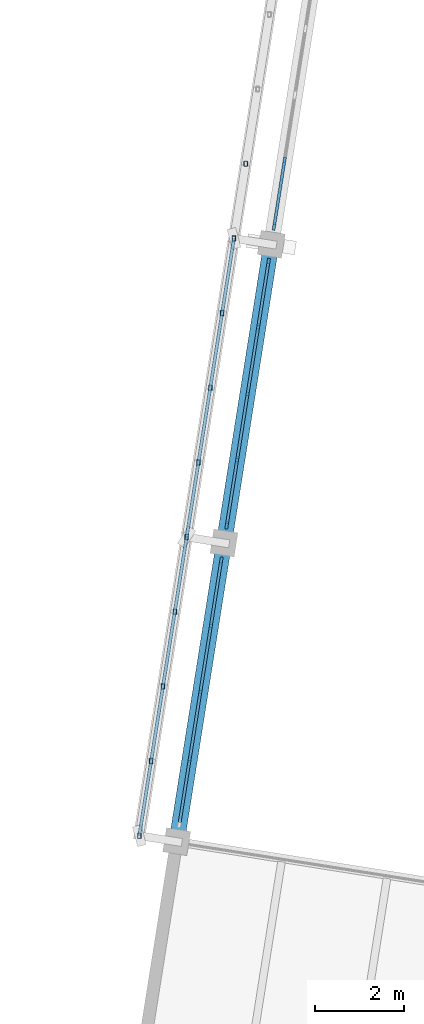
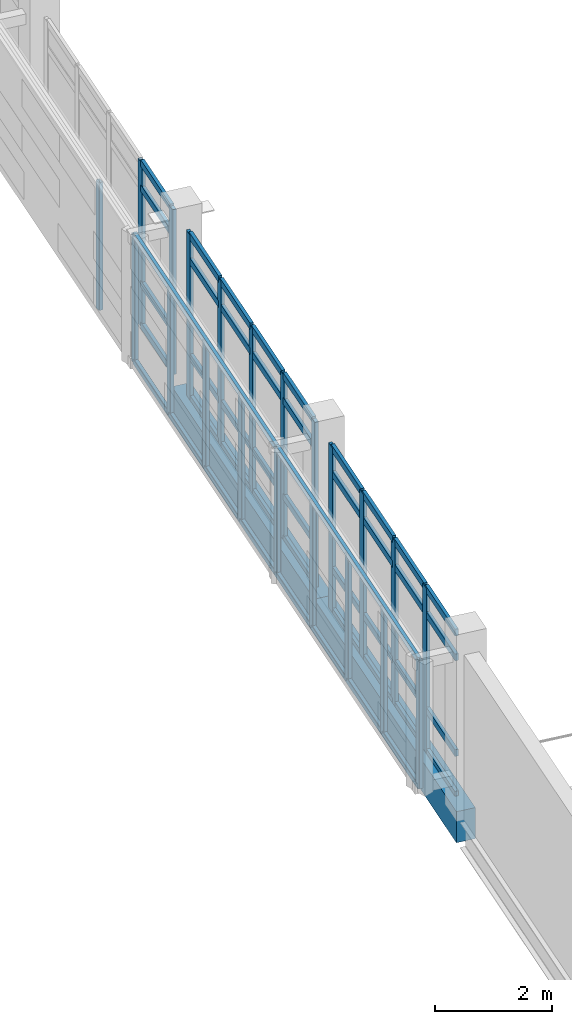
# One storey, part 35 of 117: 61 members, 2 beams, 3 elements without a shape of their own.
"""IFC4 building model written with IfcOpenShell, lengths in metres."""

from ifc_helpers import new_model, si_unit, direction, frame, origin, origin_2d, place, context, subcontext, project, spatial, rectangle, hollow_rectangle, extrude, material, material_profile, profile_set, type_object, element, aggregate, save


model = new_model("IFC4")

# Units and contexts
model_context = context("Model", 3, precision=1e-05, world=origin(), true_north=direction((0.0, 1.0)))
body_context = subcontext(model_context, "Body", "Model", "MODEL_VIEW")
ifc_project = project(units=[si_unit("LENGTHUNIT", "METRE"), si_unit("AREAUNIT", "SQUARE_METRE"), si_unit("VOLUMEUNIT", "CUBIC_METRE"), si_unit("PLANEANGLEUNIT", "RADIAN"), si_unit("MASSUNIT", "GRAM", prefix="KILO")], contexts=[model_context])

# Site, building, storey
site_placement = place(None, origin())
site = spatial("IfcSite", under=ifc_project, at=site_placement, CompositionType="ELEMENT")
building_placement = place(site_placement, origin())
building = spatial("IfcBuilding", under=site, at=building_placement, Name="Cinderway Yard Community Centre", CompositionType="ELEMENT")
storey_placement = place(building_placement, frame((0.0, 0.0, 9.0)))
storey = spatial("IfcBuildingStorey", under=building, at=storey_placement, Name="L02", CompositionType="ELEMENT", Elevation=9.0)

# Curtain wall, members
ifc_material_1 = material(Name="Aluminium 6063-T6", Category="aluminium")
curtain_wall_type = type_object("IfcCurtainWallType", Name="ENV-CW-TYPE-17", PredefinedType="USERDEFINED", material=ifc_material_1)
curtain_wall_1_placement = place(storey_placement, origin())
curtain_wall_1 = element("IfcCurtainWall", 1, at=curtain_wall_1_placement, inside=storey, type_object=curtain_wall_type, Name="Sports Hall Courtyard Curtain Wall ENV-CW-L02-HS-0060", ObjectType="GLAZED CURTAIN WALL", PredefinedType="USERDEFINED")
ifc_material_profile_1 = material_profile(ifc_material_1, rectangle(XDim=0.06494140625, YDim=0.179931640625, at=origin_2d()), Name="Aluminium 6063-T6")
ifc_profile_set_1 = profile_set([ifc_material_profile_1], Name="Aluminium 6063-T6")
member_type_1 = type_object("IfcMemberType", Name="ENV-CW-MULL-180", PredefinedType="MULLION", material=ifc_profile_set_1)
member_1_placement = place(storey_placement, frame((118.29541015625, 39.866455078125, 0.0), z_axis=(0.0, 0.0, 1.0), x_axis=(-0.987660740525, 0.156608625643, 0.0)))
member_1 = element("IfcMember", 2, at=member_1_placement, type_object=member_type_1, Name="CW-17 mullion 2", PredefinedType="MULLION", context=body_context, shape_type="SweptSolid", body=[
    extrude(rectangle(XDim=0.06494140625, YDim=0.179931640625, at=origin_2d()), origin(), (0.0, 0.0, 1.0), 3.449951171875),
])
member_2_placement = place(storey_placement, frame((118.531982421875, 41.35791015625, 0.0), z_axis=(0.0, 0.0, 1.0), x_axis=(-0.987660740525, 0.156608625643, 0.0)))
member_2 = element("IfcMember", 3, at=member_2_placement, type_object=member_type_1, Name="CW-17 mullion 3", PredefinedType="MULLION", context=body_context, shape_type="SweptSolid", body=[
    extrude(rectangle(XDim=0.06494140625, YDim=0.179931640625, at=origin_2d()), origin(), (0.0, 0.0, 1.0), 3.449951171875),
])
member_3_placement = place(storey_placement, frame((118.7685546875, 42.849609375, 0.0), z_axis=(0.0, 0.0, 1.0), x_axis=(-0.987660740525, 0.156608625643, 0.0)))
member_3 = element("IfcMember", 4, at=member_3_placement, type_object=member_type_1, Name="CW-17 mullion 4", PredefinedType="MULLION", context=body_context, shape_type="SweptSolid", body=[
    extrude(rectangle(XDim=0.06494140625, YDim=0.179931640625, at=origin_2d()), origin(), (0.0, 0.0, 1.0), 3.449951171875),
])
member_4_placement = place(storey_placement, frame((119.000244140625, 44.311279296875, 0.0), z_axis=(0.0, 0.0, 1.0), x_axis=(-0.987660740525, 0.156608625643, 0.0)))
member_4 = element("IfcMember", 5, at=member_4_placement, type_object=member_type_1, Name="CW-17 mullion 5", PredefinedType="MULLION", context=body_context, shape_type="SweptSolid", body=[
    extrude(rectangle(XDim=0.06494140625, YDim=0.179931640625, at=origin_2d()), origin(), (0.0, 0.0, 1.0), 3.449951171875),
])

curtain_wall_2_placement = place(storey_placement, origin())
curtain_wall_2 = element("IfcCurtainWall", 6, at=curtain_wall_2_placement, inside=storey, type_object=curtain_wall_type, Name="Sports Hall Courtyard Curtain Wall ENV-CW-L02-HS-0061", ObjectType="GLAZED CURTAIN WALL", PredefinedType="USERDEFINED")
member_5_placement = place(storey_placement, frame((119.127685546875, 45.12060546875, 0.0), z_axis=(0.0, 0.0, 1.0), x_axis=(-0.987664799809, 0.156583023401, 0.0)))
member_5 = element("IfcMember", 7, at=member_5_placement, type_object=member_type_1, Name="CW-17 mullion 1", PredefinedType="MULLION", context=body_context, shape_type="SweptSolid", body=[
    extrude(rectangle(XDim=0.06494140625, YDim=0.179931640625, at=origin_2d()), origin(), (0.0, 0.0, 1.0), 3.449951171875),
])
member_6_placement = place(storey_placement, frame((119.359619140625, 46.582763671875, 0.0), z_axis=(0.0, 0.0, 1.0), x_axis=(-0.987664799809, 0.156583023401, 0.0)))
member_6 = element("IfcMember", 8, at=member_6_placement, type_object=member_type_1, Name="CW-17 mullion 2", PredefinedType="MULLION", context=body_context, shape_type="SweptSolid", body=[
    extrude(rectangle(XDim=0.06494140625, YDim=0.179931640625, at=origin_2d()), origin(), (0.0, 0.0, 1.0), 3.449951171875),
])
member_7_placement = place(storey_placement, frame((119.595947265625, 48.074462890625, 0.0), z_axis=(0.0, 0.0, 1.0), x_axis=(-0.987664799809, 0.156583023401, 0.0)))
member_7 = element("IfcMember", 9, at=member_7_placement, type_object=member_type_1, Name="CW-17 mullion 3", PredefinedType="MULLION", context=body_context, shape_type="SweptSolid", body=[
    extrude(rectangle(XDim=0.06494140625, YDim=0.179931640625, at=origin_2d()), origin(), (0.0, 0.0, 1.0), 3.449951171875),
])
member_8_placement = place(storey_placement, frame((119.83251953125, 49.566162109375, 0.0), z_axis=(0.0, 0.0, 1.0), x_axis=(-0.987664799809, 0.156583023401, 0.0)))
member_8 = element("IfcMember", 10, at=member_8_placement, type_object=member_type_1, Name="CW-17 mullion 4", PredefinedType="MULLION", context=body_context, shape_type="SweptSolid", body=[
    extrude(rectangle(XDim=0.06494140625, YDim=0.179931640625, at=origin_2d()), origin(), (0.0, 0.0, 1.0), 3.449951171875),
])
member_9_placement = place(storey_placement, frame((120.064208984375, 51.0283203125, 0.0), z_axis=(0.0, 0.0, 1.0), x_axis=(-0.987664799809, 0.156583023401, 0.0)))
member_9 = element("IfcMember", 11, at=member_9_placement, type_object=member_type_1, Name="CW-17 mullion 5", PredefinedType="MULLION", context=body_context, shape_type="SweptSolid", body=[
    extrude(rectangle(XDim=0.06494140625, YDim=0.179931640625, at=origin_2d()), origin(), (0.0, 0.0, 1.0), 3.449951171875),
])

curtain_wall_3_placement = place(storey_placement, origin())
curtain_wall_3 = element("IfcCurtainWall", 12, at=curtain_wall_3_placement, inside=storey, type_object=curtain_wall_type, Name="Sports Hall Courtyard Curtain Wall ENV-CW-L02-HS-0062", ObjectType="GLAZED CURTAIN WALL", PredefinedType="USERDEFINED")
member_10_placement = place(storey_placement, frame((120.191650390625, 51.837646484375, 0.0), z_axis=(0.0, 0.0, 1.0), x_axis=(-0.987686334358, 0.1564471314, 0.0)))
member_10 = element("IfcMember", 13, at=member_10_placement, type_object=member_type_1, Name="CW-17 mullion 1", PredefinedType="MULLION", context=body_context, shape_type="SweptSolid", body=[
    extrude(rectangle(XDim=0.06494140625, YDim=0.179931640625, at=origin_2d()), origin(), (0.0, 0.0, 1.0), 3.449951171875),
])
member_11_placement = place(storey_placement, frame((120.42333984375, 53.299560546875, 0.0), z_axis=(0.0, 0.0, 1.0), x_axis=(-0.987686334358, 0.1564471314, 0.0)))
member_11 = element("IfcMember", 14, at=member_11_placement, type_object=member_type_1, Name="CW-17 mullion 2", PredefinedType="MULLION", context=body_context, shape_type="SweptSolid", body=[
    extrude(rectangle(XDim=0.06494140625, YDim=0.179931640625, at=origin_2d()), origin(), (0.0, 0.0, 1.0), 3.449951171875),
])

# Member
ifc_material_profile_2 = material_profile(ifc_material_1, rectangle(XDim=0.06494140625, YDim=0.139892578125, at=origin_2d()), Name="Aluminium 6063-T6")
ifc_profile_set_2 = profile_set([ifc_material_profile_2], Name="Aluminium 6063-T6")
member_type_2 = type_object("IfcMemberType", Name="ENV-CW-TRAN-140", PredefinedType="USERDEFINED", material=ifc_profile_set_2)
member_12_placement = place(storey_placement, frame((118.068359375, 38.434326171875, 0.030029296875), z_axis=(0.156615821604, 0.987659599469, 0.0), x_axis=(-0.987659599469, 0.156615821604, 0.0)))
member_12 = element("IfcMember", 15, at=member_12_placement, type_object=member_type_2, Name="CW-17 transom 1.1", ObjectType="TRANSOM", PredefinedType="USERDEFINED", context=body_context, shape_type="SweptSolid", body=[
    extrude(rectangle(XDim=0.06494140625, YDim=0.139892578125, at=origin_2d()), origin(), (0.0, 0.0, 1.0), 1.420166015625),
])

member_13_placement = place(storey_placement, frame((118.068359375, 38.434326171875, 0.89990234375), z_axis=(0.156615821604, 0.987659599469, 0.0), x_axis=(-0.987659599469, 0.156615821604, 0.0)))
member_13 = element("IfcMember", 16, at=member_13_placement, type_object=member_type_2, Name="CW-17 transom 1.2", ObjectType="TRANSOM", PredefinedType="USERDEFINED", context=body_context, shape_type="SweptSolid", body=[
    extrude(rectangle(XDim=0.06494140625, YDim=0.139892578125, at=origin_2d()), origin(), (0.0, 0.0, 1.0), 1.420166015625),
])

member_14_placement = place(storey_placement, frame((118.068359375, 38.434326171875, 2.89990234375), z_axis=(0.156615821604, 0.987659599469, 0.0), x_axis=(-0.987659599469, 0.156615821604, 0.0)))
member_14 = element("IfcMember", 17, at=member_14_placement, type_object=member_type_2, Name="CW-17 transom 1.3", ObjectType="TRANSOM", PredefinedType="USERDEFINED", context=body_context, shape_type="SweptSolid", body=[
    extrude(rectangle(XDim=0.06494140625, YDim=0.139892578125, at=origin_2d()), origin(), (0.0, 0.0, 1.0), 1.420166015625),
])

member_15_placement = place(storey_placement, frame((118.068359375, 38.434326171875, 3.419921875), z_axis=(0.156615821604, 0.987659599469, 0.0), x_axis=(-0.987659599469, 0.156615821604, 0.0)))
member_15 = element("IfcMember", 18, at=member_15_placement, type_object=member_type_2, Name="CW-17 transom 1.4", ObjectType="TRANSOM", PredefinedType="USERDEFINED", context=body_context, shape_type="SweptSolid", body=[
    extrude(rectangle(XDim=0.06494140625, YDim=0.139892578125, at=origin_2d()), origin(), (0.0, 0.0, 1.0), 1.420166015625),
])

member_16_placement = place(storey_placement, frame((118.30029296875, 39.896240234375, 0.030029296875), z_axis=(0.156585060263, 0.987664476886, 0.0), x_axis=(-0.987664476886, 0.156585060263, 0.0)))
member_16 = element("IfcMember", 19, at=member_16_placement, type_object=member_type_2, Name="CW-17 transom 2.1", ObjectType="TRANSOM", PredefinedType="USERDEFINED", context=body_context, shape_type="SweptSolid", body=[
    extrude(rectangle(XDim=0.06494140625, YDim=0.139892578125, at=origin_2d()), origin(), (0.0, 0.0, 1.0), 1.449951171875),
])

member_17_placement = place(storey_placement, frame((118.30029296875, 39.896240234375, 0.89990234375), z_axis=(0.156585060263, 0.987664476886, 0.0), x_axis=(-0.987664476886, 0.156585060263, 0.0)))
member_17 = element("IfcMember", 20, at=member_17_placement, type_object=member_type_2, Name="CW-17 transom 2.2", ObjectType="TRANSOM", PredefinedType="USERDEFINED", context=body_context, shape_type="SweptSolid", body=[
    extrude(rectangle(XDim=0.06494140625, YDim=0.139892578125, at=origin_2d()), origin(), (0.0, 0.0, 1.0), 1.449951171875),
])

member_18_placement = place(storey_placement, frame((118.30029296875, 39.896240234375, 2.89990234375), z_axis=(0.156585060263, 0.987664476886, 0.0), x_axis=(-0.987664476886, 0.156585060263, 0.0)))
member_18 = element("IfcMember", 21, at=member_18_placement, type_object=member_type_2, Name="CW-17 transom 2.3", ObjectType="TRANSOM", PredefinedType="USERDEFINED", context=body_context, shape_type="SweptSolid", body=[
    extrude(rectangle(XDim=0.06494140625, YDim=0.139892578125, at=origin_2d()), origin(), (0.0, 0.0, 1.0), 1.449951171875),
])

member_19_placement = place(storey_placement, frame((118.30029296875, 39.896240234375, 3.419921875), z_axis=(0.156585060263, 0.987664476886, 0.0), x_axis=(-0.987664476886, 0.156585060263, 0.0)))
member_19 = element("IfcMember", 22, at=member_19_placement, type_object=member_type_2, Name="CW-17 transom 2.4", ObjectType="TRANSOM", PredefinedType="USERDEFINED", context=body_context, shape_type="SweptSolid", body=[
    extrude(rectangle(XDim=0.06494140625, YDim=0.139892578125, at=origin_2d()), origin(), (0.0, 0.0, 1.0), 1.449951171875),
])

member_20_placement = place(storey_placement, frame((118.53662109375, 41.3876953125, 0.030029296875), z_axis=(0.156749296529, 0.987638424747, 0.0), x_axis=(-0.987638424747, 0.156749296529, 0.0)))
member_20 = element("IfcMember", 23, at=member_20_placement, type_object=member_type_2, Name="CW-17 transom 3.1", ObjectType="TRANSOM", PredefinedType="USERDEFINED", context=body_context, shape_type="SweptSolid", body=[
    extrude(rectangle(XDim=0.06494140625, YDim=0.139892578125, at=origin_2d()), origin(), (0.0, 0.0, 1.0), 1.449951171875),
])

member_21_placement = place(storey_placement, frame((118.53662109375, 41.3876953125, 0.89990234375), z_axis=(0.156749296529, 0.987638424747, 0.0), x_axis=(-0.987638424747, 0.156749296529, 0.0)))
member_21 = element("IfcMember", 24, at=member_21_placement, type_object=member_type_2, Name="CW-17 transom 3.2", ObjectType="TRANSOM", PredefinedType="USERDEFINED", context=body_context, shape_type="SweptSolid", body=[
    extrude(rectangle(XDim=0.06494140625, YDim=0.139892578125, at=origin_2d()), origin(), (0.0, 0.0, 1.0), 1.449951171875),
])

member_22_placement = place(storey_placement, frame((118.53662109375, 41.3876953125, 2.89990234375), z_axis=(0.156749296529, 0.987638424747, 0.0), x_axis=(-0.987638424747, 0.156749296529, 0.0)))
member_22 = element("IfcMember", 25, at=member_22_placement, type_object=member_type_2, Name="CW-17 transom 3.3", ObjectType="TRANSOM", PredefinedType="USERDEFINED", context=body_context, shape_type="SweptSolid", body=[
    extrude(rectangle(XDim=0.06494140625, YDim=0.139892578125, at=origin_2d()), origin(), (0.0, 0.0, 1.0), 1.449951171875),
])

member_23_placement = place(storey_placement, frame((118.53662109375, 41.3876953125, 3.419921875), z_axis=(0.156749296529, 0.987638424747, 0.0), x_axis=(-0.987638424747, 0.156749296529, 0.0)))
member_23 = element("IfcMember", 26, at=member_23_placement, type_object=member_type_2, Name="CW-17 transom 3.4", ObjectType="TRANSOM", PredefinedType="USERDEFINED", context=body_context, shape_type="SweptSolid", body=[
    extrude(rectangle(XDim=0.06494140625, YDim=0.139892578125, at=origin_2d()), origin(), (0.0, 0.0, 1.0), 1.449951171875),
])

member_24_placement = place(storey_placement, frame((118.773193359375, 42.879150390625, 0.030029296875), z_axis=(0.156615821604, 0.987659599469, 0.0), x_axis=(-0.987659599469, 0.156615821604, 0.0)))
member_24 = element("IfcMember", 27, at=member_24_placement, type_object=member_type_2, Name="CW-17 transom 4.1", ObjectType="TRANSOM", PredefinedType="USERDEFINED", context=body_context, shape_type="SweptSolid", body=[
    extrude(rectangle(XDim=0.06494140625, YDim=0.139892578125, at=origin_2d()), origin(), (0.0, 0.0, 1.0), 1.420166015625),
])

member_25_placement = place(storey_placement, frame((118.773193359375, 42.879150390625, 0.89990234375), z_axis=(0.156615821604, 0.987659599469, 0.0), x_axis=(-0.987659599469, 0.156615821604, 0.0)))
member_25 = element("IfcMember", 28, at=member_25_placement, type_object=member_type_2, Name="CW-17 transom 4.2", ObjectType="TRANSOM", PredefinedType="USERDEFINED", context=body_context, shape_type="SweptSolid", body=[
    extrude(rectangle(XDim=0.06494140625, YDim=0.139892578125, at=origin_2d()), origin(), (0.0, 0.0, 1.0), 1.420166015625),
])

member_26_placement = place(storey_placement, frame((118.773193359375, 42.879150390625, 2.89990234375), z_axis=(0.156615821604, 0.987659599469, 0.0), x_axis=(-0.987659599469, 0.156615821604, 0.0)))
member_26 = element("IfcMember", 29, at=member_26_placement, type_object=member_type_2, Name="CW-17 transom 4.3", ObjectType="TRANSOM", PredefinedType="USERDEFINED", context=body_context, shape_type="SweptSolid", body=[
    extrude(rectangle(XDim=0.06494140625, YDim=0.139892578125, at=origin_2d()), origin(), (0.0, 0.0, 1.0), 1.420166015625),
])

member_27_placement = place(storey_placement, frame((118.773193359375, 42.879150390625, 3.419921875), z_axis=(0.156615821604, 0.987659599469, 0.0), x_axis=(-0.987659599469, 0.156615821604, 0.0)))
member_27 = element("IfcMember", 30, at=member_27_placement, type_object=member_type_2, Name="CW-17 transom 4.4", ObjectType="TRANSOM", PredefinedType="USERDEFINED", context=body_context, shape_type="SweptSolid", body=[
    extrude(rectangle(XDim=0.06494140625, YDim=0.139892578125, at=origin_2d()), origin(), (0.0, 0.0, 1.0), 1.420166015625),
])

aggregate(curtain_wall_1, [member_1, member_2, member_3, member_4, member_12, member_13, member_14, member_15, member_16, member_17, member_18, member_19, member_20, member_21, member_22, member_23, member_24, member_25, member_26, member_27])

member_28_placement = place(storey_placement, frame((119.13232421875, 45.150146484375, 0.030029296875), z_axis=(0.156562654309, 0.987668028882, 0.0), x_axis=(-0.987668028882, 0.156562654309, 0.0)))
member_28 = element("IfcMember", 31, at=member_28_placement, type_object=member_type_2, Name="CW-17 transom 1.1", ObjectType="TRANSOM", PredefinedType="USERDEFINED", context=body_context, shape_type="SweptSolid", body=[
    extrude(rectangle(XDim=0.06494140625, YDim=0.139892578125, at=origin_2d()), origin(), (0.0, 0.0, 1.0), 1.420654296875),
])

member_29_placement = place(storey_placement, frame((119.13232421875, 45.150146484375, 0.89990234375), z_axis=(0.156562654309, 0.987668028882, 0.0), x_axis=(-0.987668028882, 0.156562654309, 0.0)))
member_29 = element("IfcMember", 32, at=member_29_placement, type_object=member_type_2, Name="CW-17 transom 1.2", ObjectType="TRANSOM", PredefinedType="USERDEFINED", context=body_context, shape_type="SweptSolid", body=[
    extrude(rectangle(XDim=0.06494140625, YDim=0.139892578125, at=origin_2d()), origin(), (0.0, 0.0, 1.0), 1.420654296875),
])

member_30_placement = place(storey_placement, frame((119.13232421875, 45.150146484375, 2.89990234375), z_axis=(0.156562654309, 0.987668028882, 0.0), x_axis=(-0.987668028882, 0.156562654309, 0.0)))
member_30 = element("IfcMember", 33, at=member_30_placement, type_object=member_type_2, Name="CW-17 transom 1.3", ObjectType="TRANSOM", PredefinedType="USERDEFINED", context=body_context, shape_type="SweptSolid", body=[
    extrude(rectangle(XDim=0.06494140625, YDim=0.139892578125, at=origin_2d()), origin(), (0.0, 0.0, 1.0), 1.420654296875),
])

member_31_placement = place(storey_placement, frame((119.13232421875, 45.150146484375, 3.419921875), z_axis=(0.156562654309, 0.987668028882, 0.0), x_axis=(-0.987668028882, 0.156562654309, 0.0)))
member_31 = element("IfcMember", 34, at=member_31_placement, type_object=member_type_2, Name="CW-17 transom 1.4", ObjectType="TRANSOM", PredefinedType="USERDEFINED", context=body_context, shape_type="SweptSolid", body=[
    extrude(rectangle(XDim=0.06494140625, YDim=0.139892578125, at=origin_2d()), origin(), (0.0, 0.0, 1.0), 1.420654296875),
])

member_32_placement = place(storey_placement, frame((119.3642578125, 46.6123046875, 0.030029296875), z_axis=(0.156532999021, 0.987672729307, 0.0), x_axis=(-0.987672729307, 0.156532999021, 0.0)))
member_32 = element("IfcMember", 35, at=member_32_placement, type_object=member_type_2, Name="CW-17 transom 2.1", ObjectType="TRANSOM", PredefinedType="USERDEFINED", context=body_context, shape_type="SweptSolid", body=[
    extrude(rectangle(XDim=0.06494140625, YDim=0.139892578125, at=origin_2d()), origin(), (0.0, 0.0, 1.0), 1.450439453125),
])

member_33_placement = place(storey_placement, frame((119.3642578125, 46.6123046875, 0.89990234375), z_axis=(0.156532999021, 0.987672729307, 0.0), x_axis=(-0.987672729307, 0.156532999021, 0.0)))
member_33 = element("IfcMember", 36, at=member_33_placement, type_object=member_type_2, Name="CW-17 transom 2.2", ObjectType="TRANSOM", PredefinedType="USERDEFINED", context=body_context, shape_type="SweptSolid", body=[
    extrude(rectangle(XDim=0.06494140625, YDim=0.139892578125, at=origin_2d()), origin(), (0.0, 0.0, 1.0), 1.450439453125),
])

member_34_placement = place(storey_placement, frame((119.3642578125, 46.6123046875, 2.89990234375), z_axis=(0.156532999021, 0.987672729307, 0.0), x_axis=(-0.987672729307, 0.156532999021, 0.0)))
member_34 = element("IfcMember", 37, at=member_34_placement, type_object=member_type_2, Name="CW-17 transom 2.3", ObjectType="TRANSOM", PredefinedType="USERDEFINED", context=body_context, shape_type="SweptSolid", body=[
    extrude(rectangle(XDim=0.06494140625, YDim=0.139892578125, at=origin_2d()), origin(), (0.0, 0.0, 1.0), 1.450439453125),
])

member_35_placement = place(storey_placement, frame((119.3642578125, 46.6123046875, 3.419921875), z_axis=(0.156532999021, 0.987672729307, 0.0), x_axis=(-0.987672729307, 0.156532999021, 0.0)))
member_35 = element("IfcMember", 38, at=member_35_placement, type_object=member_type_2, Name="CW-17 transom 2.4", ObjectType="TRANSOM", PredefinedType="USERDEFINED", context=body_context, shape_type="SweptSolid", body=[
    extrude(rectangle(XDim=0.06494140625, YDim=0.139892578125, at=origin_2d()), origin(), (0.0, 0.0, 1.0), 1.450439453125),
])

member_36_placement = place(storey_placement, frame((119.6005859375, 48.104248046875, 0.030029296875), z_axis=(0.156723235702, 0.987642560541, 0.0), x_axis=(-0.987642560541, 0.156723235702, 0.0)))
member_36 = element("IfcMember", 39, at=member_36_placement, type_object=member_type_2, Name="CW-17 transom 3.1", ObjectType="TRANSOM", PredefinedType="USERDEFINED", context=body_context, shape_type="SweptSolid", body=[
    extrude(rectangle(XDim=0.06494140625, YDim=0.139892578125, at=origin_2d()), origin(), (0.0, 0.0, 1.0), 1.4501953125),
])

member_37_placement = place(storey_placement, frame((119.6005859375, 48.104248046875, 0.89990234375), z_axis=(0.156723235702, 0.987642560541, 0.0), x_axis=(-0.987642560541, 0.156723235702, 0.0)))
member_37 = element("IfcMember", 40, at=member_37_placement, type_object=member_type_2, Name="CW-17 transom 3.2", ObjectType="TRANSOM", PredefinedType="USERDEFINED", context=body_context, shape_type="SweptSolid", body=[
    extrude(rectangle(XDim=0.06494140625, YDim=0.139892578125, at=origin_2d()), origin(), (0.0, 0.0, 1.0), 1.4501953125),
])

member_38_placement = place(storey_placement, frame((119.6005859375, 48.104248046875, 2.89990234375), z_axis=(0.156723235702, 0.987642560541, 0.0), x_axis=(-0.987642560541, 0.156723235702, 0.0)))
member_38 = element("IfcMember", 41, at=member_38_placement, type_object=member_type_2, Name="CW-17 transom 3.3", ObjectType="TRANSOM", PredefinedType="USERDEFINED", context=body_context, shape_type="SweptSolid", body=[
    extrude(rectangle(XDim=0.06494140625, YDim=0.139892578125, at=origin_2d()), origin(), (0.0, 0.0, 1.0), 1.4501953125),
])

member_39_placement = place(storey_placement, frame((119.6005859375, 48.104248046875, 3.419921875), z_axis=(0.156723235702, 0.987642560541, 0.0), x_axis=(-0.987642560541, 0.156723235702, 0.0)))
member_39 = element("IfcMember", 42, at=member_39_placement, type_object=member_type_2, Name="CW-17 transom 3.4", ObjectType="TRANSOM", PredefinedType="USERDEFINED", context=body_context, shape_type="SweptSolid", body=[
    extrude(rectangle(XDim=0.06494140625, YDim=0.139892578125, at=origin_2d()), origin(), (0.0, 0.0, 1.0), 1.4501953125),
])

member_40_placement = place(storey_placement, frame((119.837158203125, 49.595947265625, 0.030029296875), z_axis=(0.1565892335, 0.987663815249, 0.0), x_axis=(-0.987663815249, 0.1565892335, 0.0)))
member_40 = element("IfcMember", 43, at=member_40_placement, type_object=member_type_2, Name="CW-17 transom 4.1", ObjectType="TRANSOM", PredefinedType="USERDEFINED", context=body_context, shape_type="SweptSolid", body=[
    extrude(rectangle(XDim=0.06494140625, YDim=0.139892578125, at=origin_2d()), origin(), (0.0, 0.0, 1.0), 1.42041015625),
])

member_41_placement = place(storey_placement, frame((119.837158203125, 49.595947265625, 0.89990234375), z_axis=(0.1565892335, 0.987663815249, 0.0), x_axis=(-0.987663815249, 0.1565892335, 0.0)))
member_41 = element("IfcMember", 44, at=member_41_placement, type_object=member_type_2, Name="CW-17 transom 4.2", ObjectType="TRANSOM", PredefinedType="USERDEFINED", context=body_context, shape_type="SweptSolid", body=[
    extrude(rectangle(XDim=0.06494140625, YDim=0.139892578125, at=origin_2d()), origin(), (0.0, 0.0, 1.0), 1.42041015625),
])

member_42_placement = place(storey_placement, frame((119.837158203125, 49.595947265625, 2.89990234375), z_axis=(0.1565892335, 0.987663815249, 0.0), x_axis=(-0.987663815249, 0.1565892335, 0.0)))
member_42 = element("IfcMember", 45, at=member_42_placement, type_object=member_type_2, Name="CW-17 transom 4.3", ObjectType="TRANSOM", PredefinedType="USERDEFINED", context=body_context, shape_type="SweptSolid", body=[
    extrude(rectangle(XDim=0.06494140625, YDim=0.139892578125, at=origin_2d()), origin(), (0.0, 0.0, 1.0), 1.42041015625),
])

member_43_placement = place(storey_placement, frame((119.837158203125, 49.595947265625, 3.419921875), z_axis=(0.1565892335, 0.987663815249, 0.0), x_axis=(-0.987663815249, 0.1565892335, 0.0)))
member_43 = element("IfcMember", 46, at=member_43_placement, type_object=member_type_2, Name="CW-17 transom 4.4", ObjectType="TRANSOM", PredefinedType="USERDEFINED", context=body_context, shape_type="SweptSolid", body=[
    extrude(rectangle(XDim=0.06494140625, YDim=0.139892578125, at=origin_2d()), origin(), (0.0, 0.0, 1.0), 1.42041015625),
])

aggregate(curtain_wall_2, [member_5, member_6, member_7, member_8, member_9, member_28, member_29, member_30, member_31, member_32, member_33, member_34, member_35, member_36, member_37, member_38, member_39, member_40, member_41, member_42, member_43])

member_44_placement = place(storey_placement, frame((120.1962890625, 51.8671875, 0.030029296875), z_axis=(0.156448115308, 0.987686178508, 0.0), x_axis=(-0.987686178508, 0.156448115308, 0.0)))
member_44 = element("IfcMember", 47, at=member_44_placement, type_object=member_type_2, Name="CW-17 transom 1.1", ObjectType="TRANSOM", PredefinedType="USERDEFINED", context=body_context, shape_type="SweptSolid", body=[
    extrude(rectangle(XDim=0.06494140625, YDim=0.139892578125, at=origin_2d()), origin(), (0.0, 0.0, 1.0), 1.420166015625),
])

member_45_placement = place(storey_placement, frame((120.1962890625, 51.8671875, 0.89990234375), z_axis=(0.156448115308, 0.987686178508, 0.0), x_axis=(-0.987686178508, 0.156448115308, 0.0)))
member_45 = element("IfcMember", 48, at=member_45_placement, type_object=member_type_2, Name="CW-17 transom 1.2", ObjectType="TRANSOM", PredefinedType="USERDEFINED", context=body_context, shape_type="SweptSolid", body=[
    extrude(rectangle(XDim=0.06494140625, YDim=0.139892578125, at=origin_2d()), origin(), (0.0, 0.0, 1.0), 1.420166015625),
])

member_46_placement = place(storey_placement, frame((120.1962890625, 51.8671875, 2.89990234375), z_axis=(0.156448115308, 0.987686178508, 0.0), x_axis=(-0.987686178508, 0.156448115308, 0.0)))
member_46 = element("IfcMember", 49, at=member_46_placement, type_object=member_type_2, Name="CW-17 transom 1.3", ObjectType="TRANSOM", PredefinedType="USERDEFINED", context=body_context, shape_type="SweptSolid", body=[
    extrude(rectangle(XDim=0.06494140625, YDim=0.139892578125, at=origin_2d()), origin(), (0.0, 0.0, 1.0), 1.420166015625),
])

member_47_placement = place(storey_placement, frame((120.1962890625, 51.8671875, 3.419921875), z_axis=(0.156448115308, 0.987686178508, 0.0), x_axis=(-0.987686178508, 0.156448115308, 0.0)))
member_47 = element("IfcMember", 50, at=member_47_placement, type_object=member_type_2, Name="CW-17 transom 1.4", ObjectType="TRANSOM", PredefinedType="USERDEFINED", context=body_context, shape_type="SweptSolid", body=[
    extrude(rectangle(XDim=0.06494140625, YDim=0.139892578125, at=origin_2d()), origin(), (0.0, 0.0, 1.0), 1.420166015625),
])

aggregate(curtain_wall_3, [member_10, member_11, member_44, member_45, member_46, member_47])

# Members
ifc_material_2 = material(Name="Steel S355", Category="steel")
ifc_material_profile_3 = material_profile(ifc_material_2, hollow_rectangle(XDim=0.080078125, YDim=0.1201171875, WallThickness=0.00634765625, InnerFilletRadius=0.00634765625, OuterFilletRadius=0.0126953125, at=origin_2d()), Name="Steel S355")
ifc_profile_set_3 = profile_set([ifc_material_profile_3], Name="Steel S355")
member_type_3 = type_object("IfcMemberType", Name="ENV-MEM-SCREEN-RAIL-120", PredefinedType="STRINGER", material=ifc_profile_set_3)
for number, where, z_axis, x_axis, name in (
    (51, (117.159912109375, 38.133056640625, 0.7099609375), (0.15650460011, 0.987677229739, 0.0), (-0.987677229739, 0.15650460011, 0.0), "Screen support rail 1040-BOT"),
    (52, (117.159912109375, 38.133056640625, 3.340087890625), (0.15650460011, 0.987677229739, 0.0), (-0.987677229739, 0.15650460011, 0.0), "Screen support rail 1041-TOP"),
):
    element("IfcMember", number, at=place(storey_placement, frame(where, z_axis=z_axis, x_axis=x_axis)), inside=storey, type_object=member_type_3, Name=name, PredefinedType="STRINGER", context=body_context, shape_type="SweptSolid", body=[
        extrude(hollow_rectangle(XDim=0.080078125, YDim=0.1201171875, WallThickness=0.00634765625, InnerFilletRadius=0.00634765625, OuterFilletRadius=0.0126953125, at=origin_2d()), origin(), (0.0, 0.0, 1.0), 6.7998046875),
    ])
for number, where, z_axis, x_axis, name in (
    (53, (117.159912109375, 38.133056640625, 0.68994140625), (0.0, 0.0, 1.0), (1.0, 0.0, 0.0), "Screen vertical mullion 1042"),
    (54, (117.426025390625, 39.81201171875, 0.68994140625), (0.0, 0.0, 1.0), (1.0, 0.0, 0.0), "Screen vertical mullion 1043"),
    (55, (117.69189453125, 41.490966796875, 0.68994140625), (0.0, 0.0, 1.0), (1.0, 0.0, 0.0), "Screen vertical mullion 1044"),
    (56, (117.9580078125, 43.169921875, 0.68994140625), (0.0, 0.0, 1.0), (1.0, 0.0, 0.0), "Screen vertical mullion 1045"),
    (57, (118.22412109375, 44.84912109375, 0.68994140625), (0.0, 0.0, 1.0), (1.0, 0.0, 0.0), "Screen vertical mullion 1046"),
):
    element("IfcMember", number, at=place(storey_placement, frame(where, z_axis=z_axis, x_axis=x_axis)), inside=storey, type_object=member_type_3, Name=name, PredefinedType="STRINGER", context=body_context, shape_type="SweptSolid", body=[
        extrude(hollow_rectangle(XDim=0.080078125, YDim=0.1201171875, WallThickness=0.00634765625, InnerFilletRadius=0.00634765625, OuterFilletRadius=0.0126953125, at=origin_2d()), origin(), (0.0, 0.0, 1.0), 2.670166015625),
    ])
for number, where, z_axis, x_axis, name in (
    (58, (118.22412109375, 44.84912109375, 0.7099609375), (0.15645293114, 0.987685415675, 0.0), (-0.987685415675, 0.15645293114, 0.0), "Screen support rail 1048-BOT"),
    (59, (118.22412109375, 44.84912109375, 3.340087890625), (0.15645293114, 0.987685415675, 0.0), (-0.987685415675, 0.15645293114, 0.0), "Screen support rail 1049-TOP"),
):
    element("IfcMember", number, at=place(storey_placement, frame(where, z_axis=z_axis, x_axis=x_axis)), inside=storey, type_object=member_type_3, Name=name, PredefinedType="STRINGER", context=body_context, shape_type="SweptSolid", body=[
        extrude(hollow_rectangle(XDim=0.080078125, YDim=0.1201171875, WallThickness=0.00634765625, InnerFilletRadius=0.00634765625, OuterFilletRadius=0.0126953125, at=origin_2d()), origin(), (0.0, 0.0, 1.0), 6.800537109375),
    ])
for number, where, z_axis, x_axis, name in (
    (60, (118.489990234375, 46.528076171875, 0.68994140625), (0.0, 0.0, 1.0), (1.0, 0.0, 0.0), "Screen vertical mullion 1050"),
    (61, (118.756103515625, 48.20703125, 0.68994140625), (0.0, 0.0, 1.0), (1.0, 0.0, 0.0), "Screen vertical mullion 1051"),
    (62, (119.02197265625, 49.886962890625, 0.68994140625), (0.0, 0.0, 1.0), (1.0, 0.0, 0.0), "Screen vertical mullion 1052"),
    (63, (119.2880859375, 51.56591796875, 0.68994140625), (0.0, 0.0, 1.0), (1.0, 0.0, 0.0), "Screen vertical mullion 1053"),
    (64, (119.553955078125, 53.2451171875, 0.68994140625), (0.0, 0.0, 1.0), (1.0, 0.0, 0.0), "Screen vertical mullion 1057"),
):
    element("IfcMember", number, at=place(storey_placement, frame(where, z_axis=z_axis, x_axis=x_axis)), inside=storey, type_object=member_type_3, Name=name, PredefinedType="STRINGER", context=body_context, shape_type="SweptSolid", body=[
        extrude(hollow_rectangle(XDim=0.080078125, YDim=0.1201171875, WallThickness=0.00634765625, InnerFilletRadius=0.00634765625, OuterFilletRadius=0.0126953125, at=origin_2d()), origin(), (0.0, 0.0, 1.0), 2.670166015625),
    ])

# Beams
ifc_material_3 = material(Name="Concrete C35/45", Category="concrete")
ifc_material_profile_4 = material_profile(ifc_material_3, rectangle(XDim=0.35009765625, YDim=0.64990234375, at=origin_2d()), Name="Concrete C35/45")
ifc_profile_set_4 = profile_set([ifc_material_profile_4], Name="Concrete C35/45")
beam_type = type_object("IfcBeamType", Name="STR-BM-RC350X650", PredefinedType="BEAM", material=ifc_profile_set_4)
beam_1_placement = place(storey_placement, frame((118.0, 38.0, -0.324951171875), z_axis=(0.156469575446, 0.987682779013, 0.0), x_axis=(-0.987682779013, 0.156469575446, 0.0)))
element("IfcBeam", 65, at=beam_1_placement, inside=storey, type_object=beam_type, Name="Sports Hall west ring beam STR-BM-L02-BG08-0422", PredefinedType="BEAM", context=body_context, shape_type="SweptSolid", body=[
    extrude(rectangle(XDim=0.35009765625, YDim=0.64990234375, at=origin_2d()), origin(), (0.0, 0.0, 1.0), 6.7998046875),
])
beam_2_placement = place(storey_placement, frame((119.06396484375, 44.716064453125, -0.324951171875), z_axis=(0.156447383815, 0.987686294376, 0.0), x_axis=(-0.987686294376, 0.156447383815, 0.0)))
element("IfcBeam", 66, at=beam_2_placement, inside=storey, type_object=beam_type, Name="Sports Hall west ring beam STR-BM-L02-BG08-0423", PredefinedType="BEAM", context=body_context, shape_type="SweptSolid", body=[
    extrude(rectangle(XDim=0.35009765625, YDim=0.64990234375, at=origin_2d()), origin(), (0.0, 0.0, 1.0), 6.80078125),
])

save(model, "model.ifc")
